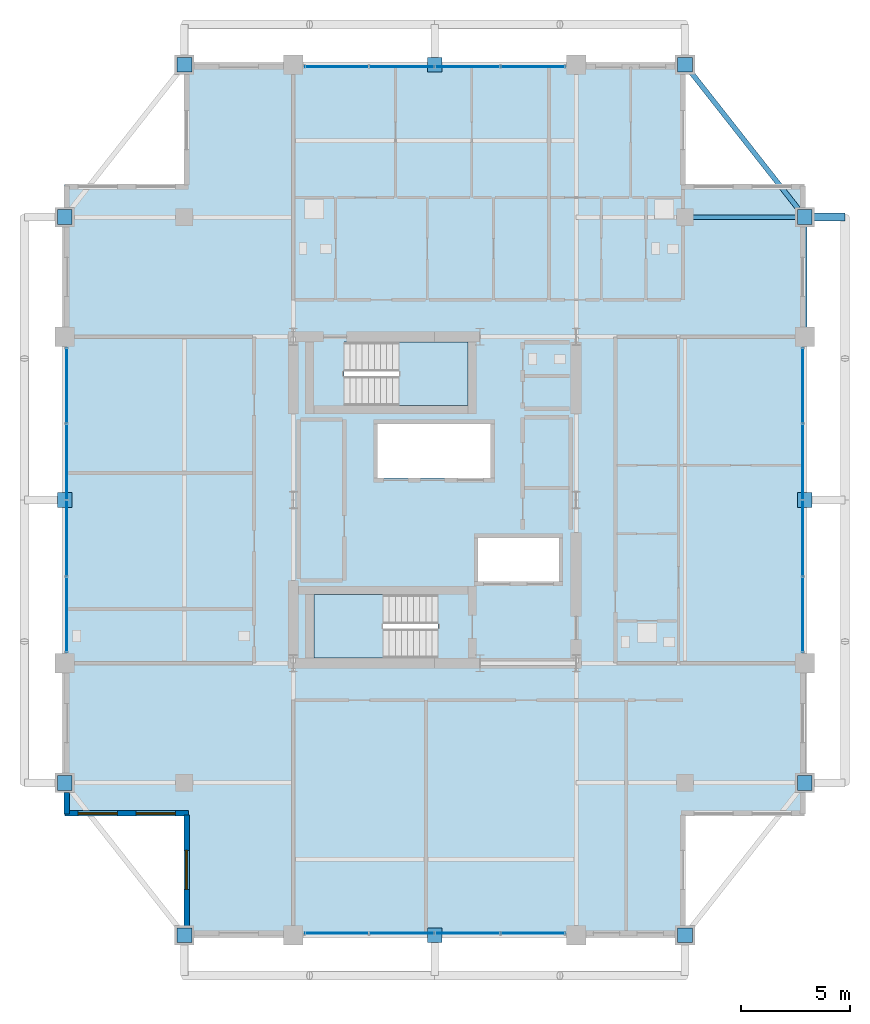
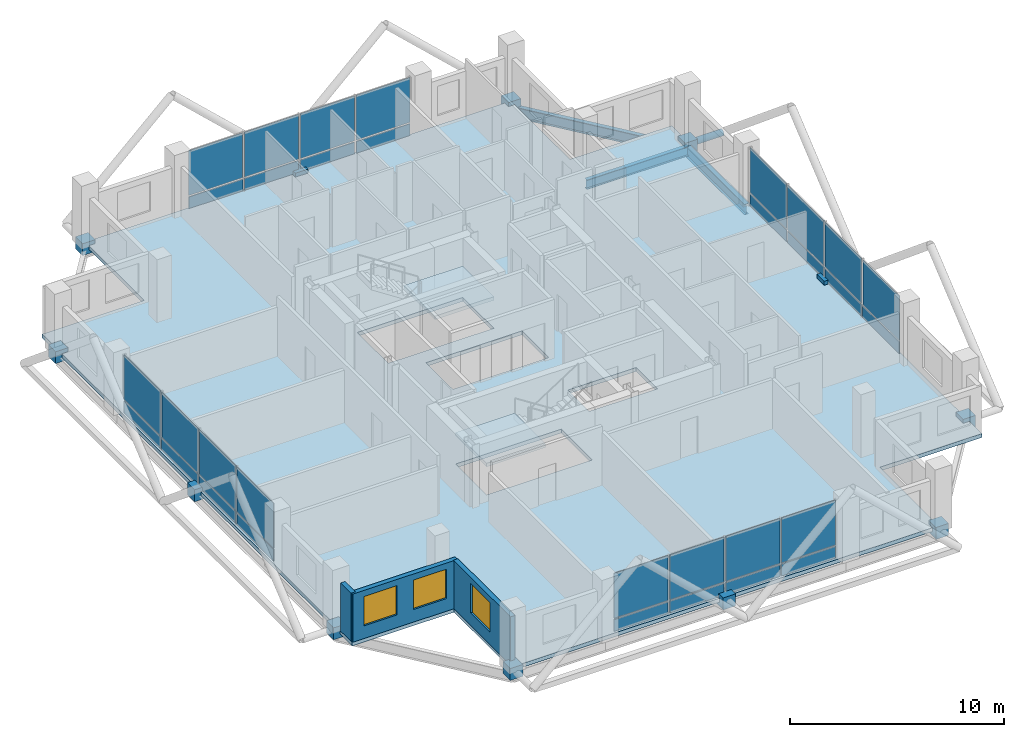
# One storey, part 18 of 24: 44 plates, 3 beams, 3 slabs, 3 walls, 3 windows, 1 member, 3 openings, 6 elements without a shape of their own.
"""IFC4 building model written with IfcOpenShell, lengths in metres."""

from ifc_helpers import new_model, si_unit, direction, frame, frame_2d, origin, origin_2d, place, context, subcontext, project, spatial, polyline, rectangle, hollow_circle, i_section, outline, extrude, material, layer, layer_set, material_profile, profile_set, type_object, element, fill, aggregate, save


model = new_model("IFC4")

# Units and contexts
model_context = context("Model", 3, precision=1e-05, world=origin(), true_north=direction((0.0, 1.0)))
body_context = subcontext(model_context, "Body", "Model", "MODEL_VIEW")
ifc_project = project(units=[si_unit("LENGTHUNIT", "METRE"), si_unit("AREAUNIT", "SQUARE_METRE"), si_unit("VOLUMEUNIT", "CUBIC_METRE"), si_unit("PLANEANGLEUNIT", "RADIAN"), si_unit("MASSUNIT", "GRAM", prefix="KILO")], contexts=[model_context])

# Site, building, storey
site_placement = place(None, origin())
site = spatial("IfcSite", under=ifc_project, at=site_placement, CompositionType="ELEMENT")
building_placement = place(site_placement, origin())
building = spatial("IfcBuilding", under=site, at=building_placement, Name="Barlavira Tower and Art Museum", CompositionType="ELEMENT")
storey_placement = place(building_placement, frame((0.0, 0.0, 283.5)))
storey = spatial("IfcBuildingStorey", under=building, at=storey_placement, Name="L74", CompositionType="ELEMENT", Elevation=283.5)

# Member
ifc_material_1 = material(Name="Steel S355", Category="steel")
ifc_material_profile_1 = material_profile(ifc_material_1, hollow_circle(Radius=0.177734375, WallThickness=0.01611328125, at=origin_2d()), Name="CHS 355.6x16.0")
ifc_profile_set_1 = profile_set([ifc_material_profile_1], Name="Steel S355")
member_type = type_object("IfcMemberType", Name="Pale-Metal Exoskeleton Tie Strut CHS 356x16 Steel S355", PredefinedType="STRUT", material=ifc_profile_set_1)
member_placement = place(storey_placement, frame((18.85009765625, 13.0, -0.1201171875), z_axis=(-1.0, 0.0, 0.0), x_axis=(0.0, -1.0, 0.0)))
element("IfcMember", 1, at=member_placement, inside=storey, type_object=member_type, Name="L74 Exoskeleton Tie Strut E3", PredefinedType="STRUT", context=body_context, shape_type="SweptSolid", body=[
    extrude(hollow_circle(Radius=0.177734375, WallThickness=0.01611328125, at=origin_2d()), origin(), (0.0, 0.0, 1.0), 1.85009765625),
])

# Beams
ifc_material_profile_2 = material_profile(ifc_material_1, i_section(OverallWidth=0.22998046875, OverallDepth=0.616943359375, WebThickness=0.01318359375, FlangeThickness=0.022216796875, at=origin_2d()), Name="W610x140.0")
ifc_profile_set_2 = profile_set([ifc_material_profile_2], Name="Steel S355")
beam_type_1 = type_object("IfcBeamType", Name="Upper Shaft Spandrel Edge Beam W610x140 Steel S355", PredefinedType="SPANDREL", material=ifc_profile_set_2)
beam_1_placement = place(storey_placement, frame((17.0, 7.5, -0.528564453125), z_axis=(0.0, 1.0, 0.0), x_axis=(-1.0, 0.0, 0.0)))
element("IfcBeam", 2, at=beam_1_placement, inside=storey, type_object=beam_type_1, Name="L74 Spandrel 7", PredefinedType="SPANDREL", context=body_context, shape_type="SweptSolid", body=[
    extrude(i_section(OverallWidth=0.22998046875, OverallDepth=0.616943359375, WebThickness=0.01318359375, FlangeThickness=0.022216796875, at=origin_2d()), origin(), (0.0, 0.0, 1.0), 5.5),
])
beam_2_placement = place(storey_placement, frame((17.0, 13.0, -0.528564453125), z_axis=(-0.617821551932, 0.786318338822, 0.0), x_axis=(-0.786318338822, -0.617821551932, 0.0)))
element("IfcBeam", 3, at=beam_2_placement, inside=storey, type_object=beam_type_1, Name="L74 Spandrel 8", PredefinedType="SPANDREL", context=body_context, shape_type="SweptSolid", body=[
    extrude(i_section(OverallWidth=0.22998046875, OverallDepth=0.616943359375, WebThickness=0.01318359375, FlangeThickness=0.022216796875, at=origin_2d()), origin(), (0.0, 0.0, 1.0), 8.90234375),
])
ifc_material_profile_3 = material_profile(ifc_material_1, i_section(OverallWidth=0.2109375, OverallDepth=0.5390625, WebThickness=0.01171875, FlangeThickness=0.018798828125, at=origin_2d()), Name="W530x109.0")
ifc_profile_set_3 = profile_set([ifc_material_profile_3], Name="Steel S355")
beam_type_2 = type_object("IfcBeamType", Name="Zone 3-4 Primary Floor Girder W530x109 Steel S355", PredefinedType="BEAM", material=ifc_profile_set_3)
beam_3_placement = place(storey_placement, frame((11.5, 13.0, -0.489501953125), z_axis=(1.0, 0.0, 0.0), x_axis=(0.0, 1.0, 0.0)))
element("IfcBeam", 4, at=beam_3_placement, inside=storey, type_object=beam_type_2, Name="L74 Girder I-N4", PredefinedType="BEAM", context=body_context, shape_type="SweptSolid", body=[
    extrude(i_section(OverallWidth=0.2109375, OverallDepth=0.5390625, WebThickness=0.01171875, FlangeThickness=0.018798828125, at=origin_2d()), origin(), (0.0, 0.0, 1.0), 5.5),
])

# Curtain wall, plates
ifc_material_2 = material(Name="Low-iron coastal laminated glass", Category="glass")
ifc_layer_1 = layer(ifc_material_2, 0.2099609375, Name="Low-iron coastal laminated glass")
ifc_layer_set_1 = layer_set([ifc_layer_1], Name="Low-iron coastal laminated glass")
curtain_wall_type = type_object("IfcCurtainWallType", Name="Pale-Metal Unitised Curtain Wall Zone 4", PredefinedType="NOTDEFINED", material=ifc_layer_set_1)
curtain_wall_1_placement = place(storey_placement, origin())
curtain_wall_1 = element("IfcCurtainWall", 5, at=curtain_wall_1_placement, inside=storey, type_object=curtain_wall_type, Name="L74 Curtain Wall CW4-L74-S-B2", PredefinedType="NOTDEFINED")
ifc_material_3 = material(Name="Pale anodised aluminium", Category="aluminium")
ifc_layer_2 = layer(ifc_material_3, 0.044921875, Name="Pale anodised aluminium")
ifc_layer_set_2 = layer_set([ifc_layer_2], Name="Pale anodised aluminium")
plate_type_1 = type_object("IfcPlateType", Name="Curtain Wall Pale-Metal Spandrel Panel 45", PredefinedType="CURTAIN_PANEL", material=ifc_layer_set_2)
plate_1_placement = place(storey_placement, frame((-4.5224609375, -19.89990234375, 0.0400390625), z_axis=(0.0, 0.0, 1.0), x_axis=(1.0, 0.0, 0.0)))
plate_1 = element("IfcPlate", 6, at=plate_1_placement, type_object=plate_type_1, Name="CW4-L74-S-B2 Spandrel Panel 0", PredefinedType="CURTAIN_PANEL", context=body_context, shape_type="SweptSolid", body=[
    extrude(rectangle(XDim=2.9150390625, YDim=0.044921875, at=origin_2d()), origin(), (0.0, 0.0, 1.0), 0.6640625),
])
plate_2_placement = place(storey_placement, frame((-1.507568359375, -19.89990234375, 0.0400390625), z_axis=(0.0, 0.0, 1.0), x_axis=(1.0, 0.0, 0.0)))
plate_2 = element("IfcPlate", 7, at=plate_2_placement, type_object=plate_type_1, Name="CW4-L74-S-B2 Spandrel Panel 1", PredefinedType="CURTAIN_PANEL", context=body_context, shape_type="SweptSolid", body=[
    extrude(rectangle(XDim=2.9150390625, YDim=0.044921875, at=origin_2d()), origin(), (0.0, 0.0, 1.0), 0.6640625),
])
plate_3_placement = place(storey_placement, frame((1.507568359375, -19.89990234375, 0.0400390625), z_axis=(0.0, 0.0, 1.0), x_axis=(1.0, 0.0, 0.0)))
plate_3 = element("IfcPlate", 8, at=plate_3_placement, type_object=plate_type_1, Name="CW4-L74-S-B2 Spandrel Panel 2", PredefinedType="CURTAIN_PANEL", context=body_context, shape_type="SweptSolid", body=[
    extrude(rectangle(XDim=2.9150390625, YDim=0.044921875, at=origin_2d()), origin(), (0.0, 0.0, 1.0), 0.6640625),
])
plate_4_placement = place(storey_placement, frame((4.5224609375, -19.89990234375, 0.0400390625), z_axis=(0.0, 0.0, 1.0), x_axis=(1.0, 0.0, 0.0)))
plate_4 = element("IfcPlate", 9, at=plate_4_placement, type_object=plate_type_1, Name="CW4-L74-S-B2 Spandrel Panel 3", PredefinedType="CURTAIN_PANEL", context=body_context, shape_type="SweptSolid", body=[
    extrude(rectangle(XDim=2.9150390625, YDim=0.044921875, at=origin_2d()), origin(), (0.0, 0.0, 1.0), 0.6640625),
])

curtain_wall_2_placement = place(storey_placement, origin())
curtain_wall_2 = element("IfcCurtainWall", 10, at=curtain_wall_2_placement, inside=storey, type_object=curtain_wall_type, Name="L74 Curtain Wall CW4-L74-N-B2", PredefinedType="NOTDEFINED")
plate_5_placement = place(storey_placement, frame((4.5224609375, 19.89990234375, 0.0400390625), z_axis=(0.0, 0.0, 1.0), x_axis=(-1.0, 0.0, 0.0)))
plate_5 = element("IfcPlate", 11, at=plate_5_placement, type_object=plate_type_1, Name="CW4-L74-N-B2 Spandrel Panel 0", PredefinedType="CURTAIN_PANEL", context=body_context, shape_type="SweptSolid", body=[
    extrude(rectangle(XDim=2.9150390625, YDim=0.044921875, at=origin_2d()), origin(), (0.0, 0.0, 1.0), 0.6640625),
])
plate_6_placement = place(storey_placement, frame((1.507568359375, 19.89990234375, 0.0400390625), z_axis=(0.0, 0.0, 1.0), x_axis=(-1.0, 0.0, 0.0)))
plate_6 = element("IfcPlate", 12, at=plate_6_placement, type_object=plate_type_1, Name="CW4-L74-N-B2 Spandrel Panel 1", PredefinedType="CURTAIN_PANEL", context=body_context, shape_type="SweptSolid", body=[
    extrude(rectangle(XDim=2.9150390625, YDim=0.044921875, at=origin_2d()), origin(), (0.0, 0.0, 1.0), 0.6640625),
])
plate_7_placement = place(storey_placement, frame((-1.507568359375, 19.89990234375, 0.0400390625), z_axis=(0.0, 0.0, 1.0), x_axis=(-1.0, 0.0, 0.0)))
plate_7 = element("IfcPlate", 13, at=plate_7_placement, type_object=plate_type_1, Name="CW4-L74-N-B2 Spandrel Panel 2", PredefinedType="CURTAIN_PANEL", context=body_context, shape_type="SweptSolid", body=[
    extrude(rectangle(XDim=2.9150390625, YDim=0.044921875, at=origin_2d()), origin(), (0.0, 0.0, 1.0), 0.6640625),
])
plate_8_placement = place(storey_placement, frame((-4.5224609375, 19.89990234375, 0.0400390625), z_axis=(0.0, 0.0, 1.0), x_axis=(-1.0, 0.0, 0.0)))
plate_8 = element("IfcPlate", 14, at=plate_8_placement, type_object=plate_type_1, Name="CW4-L74-N-B2 Spandrel Panel 3", PredefinedType="CURTAIN_PANEL", context=body_context, shape_type="SweptSolid", body=[
    extrude(rectangle(XDim=2.9150390625, YDim=0.044921875, at=origin_2d()), origin(), (0.0, 0.0, 1.0), 0.6640625),
])

curtain_wall_3_placement = place(storey_placement, origin())
curtain_wall_3 = element("IfcCurtainWall", 15, at=curtain_wall_3_placement, inside=storey, type_object=curtain_wall_type, Name="L74 Curtain Wall CW4-L74-W-B3", PredefinedType="NOTDEFINED")
plate_9_placement = place(storey_placement, frame((-16.89990234375, 5.2724609375, 0.0400390625), z_axis=(0.0, 0.0, 1.0), x_axis=(0.0, -1.0, 0.0)))
plate_9 = element("IfcPlate", 16, at=plate_9_placement, type_object=plate_type_1, Name="CW4-L74-W-B3 Spandrel Panel 0", PredefinedType="CURTAIN_PANEL", context=body_context, shape_type="SweptSolid", body=[
    extrude(rectangle(XDim=3.4150390625, YDim=0.044921875, at=origin_2d()), origin(), (0.0, 0.0, 1.0), 0.6640625),
])
plate_10_placement = place(storey_placement, frame((-16.89990234375, 1.757568359375, 0.0400390625), z_axis=(0.0, 0.0, 1.0), x_axis=(0.0, -1.0, 0.0)))
plate_10 = element("IfcPlate", 17, at=plate_10_placement, type_object=plate_type_1, Name="CW4-L74-W-B3 Spandrel Panel 1", PredefinedType="CURTAIN_PANEL", context=body_context, shape_type="SweptSolid", body=[
    extrude(rectangle(XDim=3.4150390625, YDim=0.044921875, at=origin_2d()), origin(), (0.0, 0.0, 1.0), 0.6640625),
])
plate_11_placement = place(storey_placement, frame((-16.89990234375, -1.757568359375, 0.0400390625), z_axis=(0.0, 0.0, 1.0), x_axis=(0.0, -1.0, 0.0)))
plate_11 = element("IfcPlate", 18, at=plate_11_placement, type_object=plate_type_1, Name="CW4-L74-W-B3 Spandrel Panel 2", PredefinedType="CURTAIN_PANEL", context=body_context, shape_type="SweptSolid", body=[
    extrude(rectangle(XDim=3.4150390625, YDim=0.044921875, at=origin_2d()), origin(), (0.0, 0.0, 1.0), 0.6640625),
])
plate_12_placement = place(storey_placement, frame((-16.89990234375, -5.2724609375, 0.0400390625), z_axis=(0.0, 0.0, 1.0), x_axis=(0.0, -1.0, 0.0)))
plate_12 = element("IfcPlate", 19, at=plate_12_placement, type_object=plate_type_1, Name="CW4-L74-W-B3 Spandrel Panel 3", PredefinedType="CURTAIN_PANEL", context=body_context, shape_type="SweptSolid", body=[
    extrude(rectangle(XDim=3.4150390625, YDim=0.044921875, at=origin_2d()), origin(), (0.0, 0.0, 1.0), 0.6640625),
])

curtain_wall_4_placement = place(storey_placement, origin())
curtain_wall_4 = element("IfcCurtainWall", 20, at=curtain_wall_4_placement, inside=storey, type_object=curtain_wall_type, Name="L74 Curtain Wall CW4-L74-E-B3", PredefinedType="NOTDEFINED")
plate_13_placement = place(storey_placement, frame((16.89990234375, -5.2724609375, 0.0400390625), z_axis=(0.0, 0.0, 1.0), x_axis=(0.0, 1.0, 0.0)))
plate_13 = element("IfcPlate", 21, at=plate_13_placement, type_object=plate_type_1, Name="CW4-L74-E-B3 Spandrel Panel 0", PredefinedType="CURTAIN_PANEL", context=body_context, shape_type="SweptSolid", body=[
    extrude(rectangle(XDim=3.4150390625, YDim=0.044921875, at=origin_2d()), origin(), (0.0, 0.0, 1.0), 0.6640625),
])
plate_14_placement = place(storey_placement, frame((16.89990234375, -1.757568359375, 0.0400390625), z_axis=(0.0, 0.0, 1.0), x_axis=(0.0, 1.0, 0.0)))
plate_14 = element("IfcPlate", 22, at=plate_14_placement, type_object=plate_type_1, Name="CW4-L74-E-B3 Spandrel Panel 1", PredefinedType="CURTAIN_PANEL", context=body_context, shape_type="SweptSolid", body=[
    extrude(rectangle(XDim=3.4150390625, YDim=0.044921875, at=origin_2d()), origin(), (0.0, 0.0, 1.0), 0.6640625),
])
plate_15_placement = place(storey_placement, frame((16.89990234375, 1.757568359375, 0.0400390625), z_axis=(0.0, 0.0, 1.0), x_axis=(0.0, 1.0, 0.0)))
plate_15 = element("IfcPlate", 23, at=plate_15_placement, type_object=plate_type_1, Name="CW4-L74-E-B3 Spandrel Panel 2", PredefinedType="CURTAIN_PANEL", context=body_context, shape_type="SweptSolid", body=[
    extrude(rectangle(XDim=3.4150390625, YDim=0.044921875, at=origin_2d()), origin(), (0.0, 0.0, 1.0), 0.6640625),
])
plate_16_placement = place(storey_placement, frame((16.89990234375, 5.2724609375, 0.0400390625), z_axis=(0.0, 0.0, 1.0), x_axis=(0.0, 1.0, 0.0)))
plate_16 = element("IfcPlate", 24, at=plate_16_placement, type_object=plate_type_1, Name="CW4-L74-E-B3 Spandrel Panel 3", PredefinedType="CURTAIN_PANEL", context=body_context, shape_type="SweptSolid", body=[
    extrude(rectangle(XDim=3.4150390625, YDim=0.044921875, at=origin_2d()), origin(), (0.0, 0.0, 1.0), 0.6640625),
])

# Plate
ifc_layer_3 = layer(ifc_material_2, 0.028076171875, Name="Low-iron coastal laminated glass")
ifc_layer_set_3 = layer_set([ifc_layer_3], Name="Low-iron coastal laminated glass")
plate_type_2 = type_object("IfcPlateType", Name="Curtain Wall Vision Glazing Panel 28", PredefinedType="CURTAIN_PANEL", material=ifc_layer_set_3)
plate_17_placement = place(storey_placement, frame((-4.5224609375, -19.89990234375, 0.7841796875), z_axis=(0.0, 0.0, 1.0), x_axis=(1.0, 0.0, 0.0)))
plate_17 = element("IfcPlate", 25, at=plate_17_placement, type_object=plate_type_2, Name="CW4-L74-S-B2 Vision Glass Panel 0", PredefinedType="CURTAIN_PANEL", context=body_context, shape_type="SweptSolid", body=[
    extrude(rectangle(XDim=2.9150390625, YDim=0.028076171875, at=origin_2d()), origin(), (0.0, 0.0, 1.0), 2.555908203125),
])

plate_18_placement = place(storey_placement, frame((-1.507568359375, -19.89990234375, 0.7841796875), z_axis=(0.0, 0.0, 1.0), x_axis=(1.0, 0.0, 0.0)))
plate_18 = element("IfcPlate", 26, at=plate_18_placement, type_object=plate_type_2, Name="CW4-L74-S-B2 Vision Glass Panel 1", PredefinedType="CURTAIN_PANEL", context=body_context, shape_type="SweptSolid", body=[
    extrude(rectangle(XDim=2.9150390625, YDim=0.028076171875, at=origin_2d()), origin(), (0.0, 0.0, 1.0), 2.555908203125),
])

plate_19_placement = place(storey_placement, frame((1.507568359375, -19.89990234375, 0.7841796875), z_axis=(0.0, 0.0, 1.0), x_axis=(1.0, 0.0, 0.0)))
plate_19 = element("IfcPlate", 27, at=plate_19_placement, type_object=plate_type_2, Name="CW4-L74-S-B2 Vision Glass Panel 2", PredefinedType="CURTAIN_PANEL", context=body_context, shape_type="SweptSolid", body=[
    extrude(rectangle(XDim=2.9150390625, YDim=0.028076171875, at=origin_2d()), origin(), (0.0, 0.0, 1.0), 2.555908203125),
])

plate_20_placement = place(storey_placement, frame((4.5224609375, -19.89990234375, 0.7841796875), z_axis=(0.0, 0.0, 1.0), x_axis=(1.0, 0.0, 0.0)))
plate_20 = element("IfcPlate", 28, at=plate_20_placement, type_object=plate_type_2, Name="CW4-L74-S-B2 Vision Glass Panel 3", PredefinedType="CURTAIN_PANEL", context=body_context, shape_type="SweptSolid", body=[
    extrude(rectangle(XDim=2.9150390625, YDim=0.028076171875, at=origin_2d()), origin(), (0.0, 0.0, 1.0), 2.555908203125),
])

aggregate(curtain_wall_1, [plate_1, plate_17, plate_2, plate_18, plate_3, plate_19, plate_4, plate_20])

plate_21_placement = place(storey_placement, frame((4.5224609375, 19.89990234375, 0.7841796875), z_axis=(0.0, 0.0, 1.0), x_axis=(-1.0, 0.0, 0.0)))
plate_21 = element("IfcPlate", 29, at=plate_21_placement, type_object=plate_type_2, Name="CW4-L74-N-B2 Vision Glass Panel 0", PredefinedType="CURTAIN_PANEL", context=body_context, shape_type="SweptSolid", body=[
    extrude(rectangle(XDim=2.9150390625, YDim=0.028076171875, at=origin_2d()), origin(), (0.0, 0.0, 1.0), 2.555908203125),
])

plate_22_placement = place(storey_placement, frame((1.507568359375, 19.89990234375, 0.7841796875), z_axis=(0.0, 0.0, 1.0), x_axis=(-1.0, 0.0, 0.0)))
plate_22 = element("IfcPlate", 30, at=plate_22_placement, type_object=plate_type_2, Name="CW4-L74-N-B2 Vision Glass Panel 1", PredefinedType="CURTAIN_PANEL", context=body_context, shape_type="SweptSolid", body=[
    extrude(rectangle(XDim=2.9150390625, YDim=0.028076171875, at=origin_2d()), origin(), (0.0, 0.0, 1.0), 2.555908203125),
])

plate_23_placement = place(storey_placement, frame((-1.507568359375, 19.89990234375, 0.7841796875), z_axis=(0.0, 0.0, 1.0), x_axis=(-1.0, 0.0, 0.0)))
plate_23 = element("IfcPlate", 31, at=plate_23_placement, type_object=plate_type_2, Name="CW4-L74-N-B2 Vision Glass Panel 2", PredefinedType="CURTAIN_PANEL", context=body_context, shape_type="SweptSolid", body=[
    extrude(rectangle(XDim=2.9150390625, YDim=0.028076171875, at=origin_2d()), origin(), (0.0, 0.0, 1.0), 2.555908203125),
])

plate_24_placement = place(storey_placement, frame((-4.5224609375, 19.89990234375, 0.7841796875), z_axis=(0.0, 0.0, 1.0), x_axis=(-1.0, 0.0, 0.0)))
plate_24 = element("IfcPlate", 32, at=plate_24_placement, type_object=plate_type_2, Name="CW4-L74-N-B2 Vision Glass Panel 3", PredefinedType="CURTAIN_PANEL", context=body_context, shape_type="SweptSolid", body=[
    extrude(rectangle(XDim=2.9150390625, YDim=0.028076171875, at=origin_2d()), origin(), (0.0, 0.0, 1.0), 2.555908203125),
])

aggregate(curtain_wall_2, [plate_5, plate_21, plate_6, plate_22, plate_7, plate_23, plate_8, plate_24])

plate_25_placement = place(storey_placement, frame((-16.89990234375, 5.2724609375, 0.7841796875), z_axis=(0.0, 0.0, 1.0), x_axis=(0.0, -1.0, 0.0)))
plate_25 = element("IfcPlate", 33, at=plate_25_placement, type_object=plate_type_2, Name="CW4-L74-W-B3 Vision Glass Panel 0", PredefinedType="CURTAIN_PANEL", context=body_context, shape_type="SweptSolid", body=[
    extrude(rectangle(XDim=3.4150390625, YDim=0.028076171875, at=origin_2d()), origin(), (0.0, 0.0, 1.0), 2.555908203125),
])

plate_26_placement = place(storey_placement, frame((-16.89990234375, 1.757568359375, 0.7841796875), z_axis=(0.0, 0.0, 1.0), x_axis=(0.0, -1.0, 0.0)))
plate_26 = element("IfcPlate", 34, at=plate_26_placement, type_object=plate_type_2, Name="CW4-L74-W-B3 Vision Glass Panel 1", PredefinedType="CURTAIN_PANEL", context=body_context, shape_type="SweptSolid", body=[
    extrude(rectangle(XDim=3.4150390625, YDim=0.028076171875, at=origin_2d()), origin(), (0.0, 0.0, 1.0), 2.555908203125),
])

plate_27_placement = place(storey_placement, frame((-16.89990234375, -1.757568359375, 0.7841796875), z_axis=(0.0, 0.0, 1.0), x_axis=(0.0, -1.0, 0.0)))
plate_27 = element("IfcPlate", 35, at=plate_27_placement, type_object=plate_type_2, Name="CW4-L74-W-B3 Vision Glass Panel 2", PredefinedType="CURTAIN_PANEL", context=body_context, shape_type="SweptSolid", body=[
    extrude(rectangle(XDim=3.4150390625, YDim=0.028076171875, at=origin_2d()), origin(), (0.0, 0.0, 1.0), 2.555908203125),
])

plate_28_placement = place(storey_placement, frame((-16.89990234375, -5.2724609375, 0.7841796875), z_axis=(0.0, 0.0, 1.0), x_axis=(0.0, -1.0, 0.0)))
plate_28 = element("IfcPlate", 36, at=plate_28_placement, type_object=plate_type_2, Name="CW4-L74-W-B3 Vision Glass Panel 3", PredefinedType="CURTAIN_PANEL", context=body_context, shape_type="SweptSolid", body=[
    extrude(rectangle(XDim=3.4150390625, YDim=0.028076171875, at=origin_2d()), origin(), (0.0, 0.0, 1.0), 2.555908203125),
])

aggregate(curtain_wall_3, [plate_9, plate_25, plate_10, plate_26, plate_11, plate_27, plate_12, plate_28])

plate_29_placement = place(storey_placement, frame((16.89990234375, -5.2724609375, 0.7841796875), z_axis=(0.0, 0.0, 1.0), x_axis=(0.0, 1.0, 0.0)))
plate_29 = element("IfcPlate", 37, at=plate_29_placement, type_object=plate_type_2, Name="CW4-L74-E-B3 Vision Glass Panel 0", PredefinedType="CURTAIN_PANEL", context=body_context, shape_type="SweptSolid", body=[
    extrude(rectangle(XDim=3.4150390625, YDim=0.028076171875, at=origin_2d()), origin(), (0.0, 0.0, 1.0), 2.555908203125),
])

plate_30_placement = place(storey_placement, frame((16.89990234375, -1.757568359375, 0.7841796875), z_axis=(0.0, 0.0, 1.0), x_axis=(0.0, 1.0, 0.0)))
plate_30 = element("IfcPlate", 38, at=plate_30_placement, type_object=plate_type_2, Name="CW4-L74-E-B3 Vision Glass Panel 1", PredefinedType="CURTAIN_PANEL", context=body_context, shape_type="SweptSolid", body=[
    extrude(rectangle(XDim=3.4150390625, YDim=0.028076171875, at=origin_2d()), origin(), (0.0, 0.0, 1.0), 2.555908203125),
])

plate_31_placement = place(storey_placement, frame((16.89990234375, 1.757568359375, 0.7841796875), z_axis=(0.0, 0.0, 1.0), x_axis=(0.0, 1.0, 0.0)))
plate_31 = element("IfcPlate", 39, at=plate_31_placement, type_object=plate_type_2, Name="CW4-L74-E-B3 Vision Glass Panel 2", PredefinedType="CURTAIN_PANEL", context=body_context, shape_type="SweptSolid", body=[
    extrude(rectangle(XDim=3.4150390625, YDim=0.028076171875, at=origin_2d()), origin(), (0.0, 0.0, 1.0), 2.555908203125),
])

plate_32_placement = place(storey_placement, frame((16.89990234375, 5.2724609375, 0.7841796875), z_axis=(0.0, 0.0, 1.0), x_axis=(0.0, 1.0, 0.0)))
plate_32 = element("IfcPlate", 40, at=plate_32_placement, type_object=plate_type_2, Name="CW4-L74-E-B3 Vision Glass Panel 3", PredefinedType="CURTAIN_PANEL", context=body_context, shape_type="SweptSolid", body=[
    extrude(rectangle(XDim=3.4150390625, YDim=0.028076171875, at=origin_2d()), origin(), (0.0, 0.0, 1.0), 2.555908203125),
])

aggregate(curtain_wall_4, [plate_13, plate_29, plate_14, plate_30, plate_15, plate_31, plate_16, plate_32])

# Plates
ifc_layer_4 = layer(ifc_material_1, 0.679931640625, Name="Steel S355")
ifc_layer_set_4 = layer_set([ifc_layer_4], Name="Steel S355")
plate_type_3 = type_object("IfcPlateType", Name="Exoskeleton Tie-Back Solid Cap Plate Assembly Type 5 Steel S355", PredefinedType="USERDEFINED", material=ifc_layer_set_4)
for number, where, z_axis, x_axis, name in (
    (41, (-11.5, -20.0, -0.4599609375), (0.0, 0.0, 1.0), (1.0, 0.0, 0.0), "Slab Edge Tie Cap Plate S1 ND-L74-0834"),
    (42, (0.0, -20.0, -0.4599609375), (0.0, 0.0, 1.0), (1.0, 0.0, 0.0), "Slab Edge Tie Cap Plate S2 ND-L74-0835"),
    (43, (11.5, -20.0, -0.4599609375), (0.0, 0.0, 1.0), (1.0, 0.0, 0.0), "Slab Edge Tie Cap Plate S3 ND-L74-0836"),
    (44, (-11.5, 20.0, -0.4599609375), (0.0, 0.0, 1.0), (1.0, 0.0, 0.0), "Slab Edge Tie Cap Plate N1 ND-L74-0842"),
    (45, (0.0, 20.0, -0.4599609375), (0.0, 0.0, 1.0), (1.0, 0.0, 0.0), "Slab Edge Tie Cap Plate N2 ND-L74-0843"),
    (46, (11.5, 20.0, -0.4599609375), (0.0, 0.0, 1.0), (1.0, 0.0, 0.0), "Slab Edge Tie Cap Plate N3 ND-L74-0844"),
    (47, (-17.0, -13.0, -0.4599609375), (0.0, 0.0, 1.0), (1.0, 0.0, 0.0), "Slab Edge Tie Cap Plate W1 ND-L74-0850"),
    (48, (-17.0, 0.0, -0.4599609375), (0.0, 0.0, 1.0), (1.0, 0.0, 0.0), "Slab Edge Tie Cap Plate W2 ND-L74-0851"),
    (49, (-17.0, 13.0, -0.4599609375), (0.0, 0.0, 1.0), (1.0, 0.0, 0.0), "Slab Edge Tie Cap Plate W3 ND-L74-0852"),
    (50, (17.0, -13.0, -0.4599609375), (0.0, 0.0, 1.0), (1.0, 0.0, 0.0), "Slab Edge Tie Cap Plate E1 ND-L74-0858"),
    (51, (17.0, 0.0, -0.4599609375), (0.0, 0.0, 1.0), (1.0, 0.0, 0.0), "Slab Edge Tie Cap Plate E2 ND-L74-0859"),
    (52, (17.0, 13.0, -0.4599609375), (0.0, 0.0, 1.0), (1.0, 0.0, 0.0), "Slab Edge Tie Cap Plate E3 ND-L74-0860"),
):
    element("IfcPlate", number, at=place(storey_placement, frame(where, z_axis=z_axis, x_axis=x_axis)), inside=storey, type_object=plate_type_3, Name=name, ObjectType="FLANGE_PLATE", PredefinedType="USERDEFINED", context=body_context, shape_type="SweptSolid", body=[
        extrude(rectangle(XDim=0.679931640625, YDim=0.679931640625, at=origin_2d()), origin(), (0.0, 0.0, 1.0), 0.679931640625),
    ])

# Stair, slab
ifc_material_4 = material(Name="Concrete C45", Category="concrete")
stair_type_1 = type_object("IfcStairType", Name="Tower North Dog-Leg Exit Stair Assembly Concrete C45", PredefinedType="TWO_QUARTER_TURN_STAIR", material=ifc_material_4)
stair_1_placement = place(storey_placement, origin())
stair_1 = element("IfcStair", 53, at=stair_1_placement, inside=storey, type_object=stair_type_1, Name="L74 Tower North Exit Stair ST-T2", PredefinedType="TWO_QUARTER_TURN_STAIR")
ifc_layer_5 = layer(ifc_material_4, 0.199951171875, Name="Concrete C45")
ifc_layer_set_5 = layer_set([ifc_layer_5], Name="Concrete C45")
slab_type_1 = type_object("IfcSlabType", Name="Tower North Dog-Leg Exit Stair Half-Landing Slab 200 Concrete C45", PredefinedType="LANDING", material=ifc_layer_set_5)
slab_1_placement = place(storey_placement, frame((0.0, 0.0, 1.60009765625)))
slab_1 = element("IfcSlab", 54, at=slab_1_placement, type_object=slab_type_1, Name="ST-T2 landing 1", PredefinedType="LANDING", context=body_context, shape_type="SweptSolid", body=[
    extrude(outline(polyline([(-1.64990234375, 4.35009765625), (1.530029296875, 4.35009765625), (1.530029296875, 7.25), (-1.64990234375, 7.25), (-1.64990234375, 4.35009765625)])), origin(), (0.0, 0.0, 1.0), 0.199951171875),
])
aggregate(stair_1, [slab_1])

stair_type_2 = type_object("IfcStairType", Name="Tower South Dog-Leg Exit Stair Assembly Concrete C45", PredefinedType="TWO_QUARTER_TURN_STAIR", material=ifc_material_4)
stair_2_placement = place(storey_placement, origin())
stair_2 = element("IfcStair", 55, at=stair_2_placement, inside=storey, type_object=stair_type_2, Name="L74 Tower South Exit Stair ST-T1", PredefinedType="TWO_QUARTER_TURN_STAIR")
ifc_layer_6 = layer(ifc_material_4, 0.199951171875, Name="Concrete C45")
ifc_layer_set_6 = layer_set([ifc_layer_6], Name="Concrete C45")
slab_type_2 = type_object("IfcSlabType", Name="Tower South Dog-Leg Exit Stair Half-Landing Slab 200 Concrete C45", PredefinedType="LANDING", material=ifc_layer_set_6)
slab_2_placement = place(storey_placement, frame((0.0, 0.0, 1.60009765625)))
slab_2 = element("IfcSlab", 56, at=slab_2_placement, type_object=slab_type_2, Name="ST-T1 landing 1", PredefinedType="LANDING", context=body_context, shape_type="SweptSolid", body=[
    extrude(outline(polyline([(-2.3701171875, -4.35009765625), (-5.550048828125, -4.35009765625), (-5.550048828125, -7.25), (-2.3701171875, -7.25), (-2.3701171875, -4.35009765625)])), origin(), (0.0, 0.0, 1.0), 0.199951171875),
])
aggregate(stair_2, [slab_2])

# Slab
ifc_material_5 = material(Name="Concrete C50", Category="concrete")
ifc_layer_7 = layer(ifc_material_5, 0.18994140625, Name="Concrete C50")
ifc_layer_set_7 = layer_set([ifc_layer_7], Name="Concrete C50")
slab_type_3 = type_object("IfcSlabType", Name="Zone 4 Residential Composite Slab 190 Concrete C50", PredefinedType="FLOOR", material=ifc_layer_set_7)
slab_3_placement = place(storey_placement, frame((0.0, 0.0, -0.219970703125)))
element("IfcSlab", 57, at=slab_3_placement, inside=storey, type_object=slab_type_3, Name="L74 Tower Floor Slab", PredefinedType="FLOOR", context=body_context, shape_type="SweptSolid", body=[
    extrude(outline(polyline([(-11.5, -20.0), (11.5, -20.0), (11.5, -14.5), (17.0, -14.5), (17.0, 14.5), (11.5, 14.5), (11.5, 20.0), (-11.5, 20.0), (-11.5, 14.5), (-17.0, 14.5), (-17.0, -14.5), (-11.5, -14.5), (-11.5, -20.0)]), holes=[polyline([(0.14990234375, -4.35009765625), (-5.550048828125, -4.35009765625), (-5.550048828125, -7.25), (0.14990234375, -7.25), (0.14990234375, -4.35009765625)]), polyline([(-4.169921875, 4.35009765625), (1.530029296875, 4.35009765625), (1.530029296875, 7.25), (-4.169921875, 7.25), (-4.169921875, 4.35009765625)]), polyline([(-2.6201171875, 1.0), (2.56005859375, 1.0), (2.56005859375, 3.5), (-2.6201171875, 3.5), (-2.6201171875, 1.0)]), polyline([(2.0, -3.75), (5.699951171875, -3.75), (5.699951171875, -1.75), (2.0, -1.75), (2.0, -3.75)])]), origin(), (0.0, 0.0, 1.0), 0.219970703125),
])

# Wall
ifc_material_6 = material(Name="Precast concrete C40", Category="concrete")
ifc_layer_8 = layer(ifc_material_6, 0.25, Name="Precast concrete C40")
ifc_layer_set_8 = layer_set([ifc_layer_8], Name="Precast concrete C40")
wall_type = type_object("IfcWallType", Name="Notched Corner Spandrel Wall 250 Precast Concrete C40", PredefinedType="SOLIDWALL", material=ifc_layer_set_8)
wall_1_placement = place(storey_placement, frame((-16.89990234375, -13.445068359375, 0.0), z_axis=(0.0, 0.0, 1.0), x_axis=(0.0, -1.0, 0.0)))
element("IfcWall", 58, at=wall_1_placement, inside=storey, type_object=wall_type, Name="L74 Coastal Facade Pier Wall CW4-L74-W-5", PredefinedType="SOLIDWALL", context=body_context, shape_type="SweptSolid", body=[
    extrude(rectangle(XDim=0.97998046875, YDim=0.25, at=frame_2d((0.489990234375, 0.0))), origin(), (0.0, 0.0, 1.0), 2.748046875),
])

# Wall, openings, windows
wall_2_placement = place(storey_placement, frame((-16.97998046875, -14.39990234375, 0.0), z_axis=(0.0, 0.0, 1.0), x_axis=(1.0, 0.0, 0.0)))
wall_2 = element("IfcWall", 59, at=wall_2_placement, inside=storey, type_object=wall_type, Name="L74 Notch Corner Wall SW1", PredefinedType="SOLIDWALL", context=body_context, shape_type="SweptSolid", body=[
    extrude(rectangle(XDim=5.659912109375, YDim=0.25, at=frame_2d((2.830078125, 0.0))), origin(), (0.0, 0.0, 1.0), 2.748046875),
])
opening_1_placement = place(wall_2_placement, frame((0.594970703125, 0.0, 0.719970703125)))
opening_1 = element("IfcOpeningElement", 60, at=opening_1_placement, cuts=wall_2, Name="Opening WN-01", PredefinedType="OPENING", context=body_context, shape_type="SweptSolid", body=[
    extrude(rectangle(XDim=1.800048828125, YDim=1.679931640625, at=frame_2d((0.89990234375, 0.83984375))), frame((0.0, 0.135009765625, 0.0), z_axis=(0.0, -1.0, 0.0), x_axis=(1.0, 0.0, 0.0)), (0.0, 0.0, 1.0), 0.27001953125),
])
opening_2_placement = place(wall_2_placement, frame((3.264892578125, 0.0, 0.719970703125)))
opening_2 = element("IfcOpeningElement", 61, at=opening_2_placement, cuts=wall_2, Name="Opening WN-01", PredefinedType="OPENING", context=body_context, shape_type="SweptSolid", body=[
    extrude(rectangle(XDim=1.800048828125, YDim=1.679931640625, at=frame_2d((0.89990234375, 0.83984375))), frame((0.0, 0.135009765625, 0.0), z_axis=(0.0, -1.0, 0.0), x_axis=(1.0, 0.0, 0.0)), (0.0, 0.0, 1.0), 0.27001953125),
])
window_type = type_object("IfcWindowType", Name="Recessed Notch Corner Punch Window 1800x1680", PartitioningType="SINGLE_PANEL", PredefinedType="WINDOW", material=ifc_material_2)
window_1_placement = place(opening_1_placement, origin())
window_1 = element("IfcWindow", 62, at=window_1_placement, inside=storey, type_object=window_type, Name="L74 Punched Facade Window EW-NTC-L74-SW1-1", OverallHeight=1.679931640625, OverallWidth=1.800048828125, PartitioningType="SINGLE_PANEL", PredefinedType="WINDOW", context=body_context, shape_type="SweptSolid", body=[
    extrude(rectangle(XDim=1.800048828125, YDim=1.679931640625, at=frame_2d((0.89990234375, 0.83984375))), frame((0.0, 0.030029296875, 0.0), z_axis=(0.0, -1.0, 0.0), x_axis=(1.0, 0.0, 0.0)), (0.0, 0.0, 1.0), 0.06005859375),
])
fill(opening_1, window_1)
window_2_placement = place(opening_2_placement, origin())
window_2 = element("IfcWindow", 63, at=window_2_placement, inside=storey, type_object=window_type, Name="L74 Punched Facade Window EW-NTC-L74-SW1-2", OverallHeight=1.679931640625, OverallWidth=1.800048828125, PartitioningType="SINGLE_PANEL", PredefinedType="WINDOW", context=body_context, shape_type="SweptSolid", body=[
    extrude(rectangle(XDim=1.800048828125, YDim=1.679931640625, at=frame_2d((0.89990234375, 0.83984375))), frame((0.0, 0.030029296875, 0.0), z_axis=(0.0, -1.0, 0.0), x_axis=(1.0, 0.0, 0.0)), (0.0, 0.0, 1.0), 0.06005859375),
])
fill(opening_2, window_2)

# Wall, opening, window
wall_3_placement = place(storey_placement, frame((-11.39990234375, -14.47998046875, 0.0), z_axis=(0.0, 0.0, 1.0), x_axis=(0.0, -1.0, 0.0)))
wall_3 = element("IfcWall", 64, at=wall_3_placement, inside=storey, type_object=wall_type, Name="L74 Notch Corner Wall SW2", PredefinedType="SOLIDWALL", context=body_context, shape_type="SweptSolid", body=[
    extrude(rectangle(XDim=5.340087890625, YDim=0.25, at=frame_2d((2.669921875, 0.0))), origin(), (0.0, 0.0, 1.0), 2.748046875),
])
opening_3_placement = place(wall_3_placement, frame((1.614990234375, 0.0, 0.719970703125)))
opening_3 = element("IfcOpeningElement", 65, at=opening_3_placement, cuts=wall_3, Name="Opening WN-01", PredefinedType="OPENING", context=body_context, shape_type="SweptSolid", body=[
    extrude(rectangle(XDim=1.800048828125, YDim=1.679931640625, at=frame_2d((0.89990234375, 0.83984375))), frame((0.0, 0.135009765625, 0.0), z_axis=(0.0, -1.0, 0.0), x_axis=(1.0, 0.0, 0.0)), (0.0, 0.0, 1.0), 0.27001953125),
])
window_3_placement = place(opening_3_placement, origin())
window_3 = element("IfcWindow", 66, at=window_3_placement, inside=storey, type_object=window_type, Name="L74 Punched Facade Window EW-NTC-L74-SW2-1", OverallHeight=1.679931640625, OverallWidth=1.800048828125, PartitioningType="SINGLE_PANEL", PredefinedType="WINDOW", context=body_context, shape_type="SweptSolid", body=[
    extrude(rectangle(XDim=1.800048828125, YDim=1.679931640625, at=frame_2d((0.89990234375, 0.83984375))), frame((0.0, 0.030029296875, 0.0), z_axis=(0.0, -1.0, 0.0), x_axis=(1.0, 0.0, 0.0)), (0.0, 0.0, 1.0), 0.06005859375),
])
fill(opening_3, window_3)

save(model, "model.ifc")
